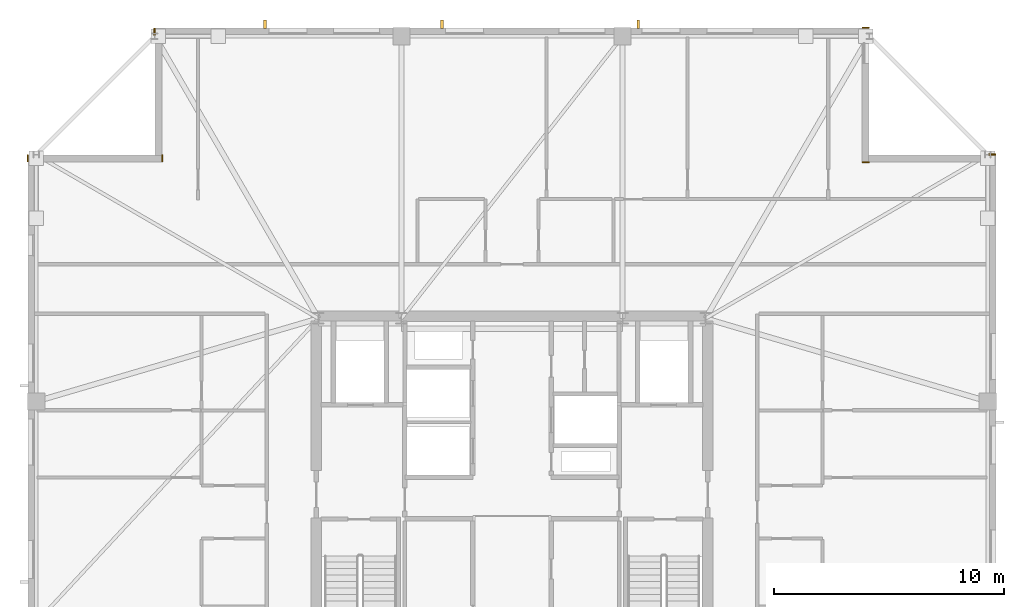
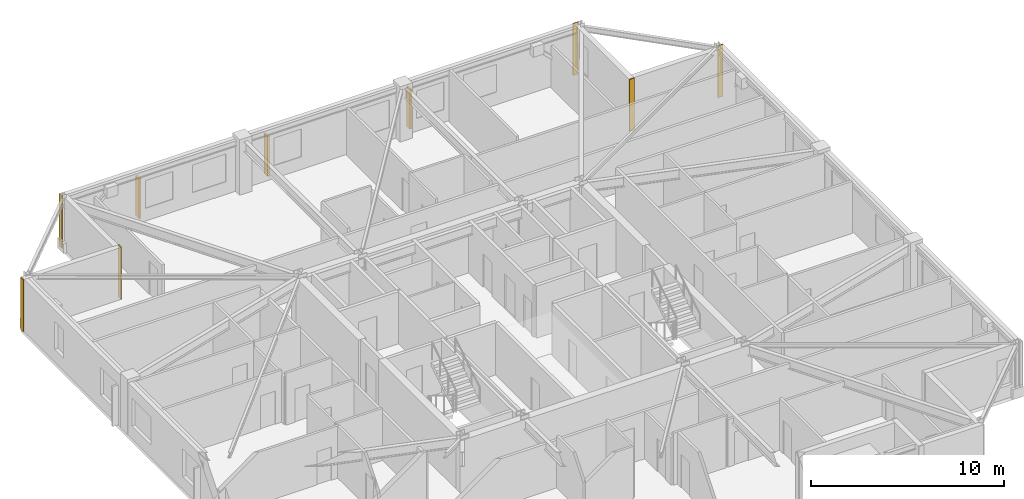
# One storey, part 15 of 15: 6 coverings, 3 shading devices.
"""IFC4 building model written with IfcOpenShell, lengths in metres."""

import ifcopenshell
import ifcopenshell.guid

model = None  # the IFC model being written
_history = None  # IfcOwnerHistory: only IFC2X3 demands one
_inside = {}  # id of a spatial element -> (the spatial element, [elements in it])
_under = {}  # id of a project, library or spatial element -> (it, [spatial elements below it])
_declared = {}  # id of a project -> (the project, [libraries it declares])
_typed = {}  # id of a type object -> (the type object, [elements of that type])
_made_of = {}  # id of a material, layer set ... -> (it, [elements and type objects made of it])


def new_model(schema):
    """Start an empty IFC model of exactly this schema.

    Asked for "IFC4X3", IfcOpenShell would pick the latest addendum, in which some entities
    have other attributes; the version numbers below select the first issue.
    IFC2X3 requires an IfcOwnerHistory on every rooted entity: one is made here for all.
    """
    global model, _history
    if schema == "IFC4X3":
        model = ifcopenshell.file(schema_version=(4, 3, 0, 0))
    else:
        model = ifcopenshell.file(schema=schema)
    _inside.clear()
    _under.clear()
    _declared.clear()
    _typed.clear()
    _made_of.clear()
    _history = None
    if model.schema == "IFC2X3":
        org = make("IfcOrganization", Name="unknown")
        user = make(
            "IfcPersonAndOrganization",
            ThePerson=make("IfcPerson", FamilyName="unknown"),
            TheOrganization=org,
        )
        app = make(
            "IfcApplication",
            ApplicationDeveloper=org,
            Version="unknown",
            ApplicationFullName="unknown",
            ApplicationIdentifier="unknown",
        )
        _history = make(
            "IfcOwnerHistory",
            OwningUser=user,
            OwningApplication=app,
            ChangeAction="ADDED",
            CreationDate=0,
        )
    return model


def make(cls, **values):
    """One entity of the class cls with the attributes given. An attribute that is None is left unset."""
    return model.create_entity(
        cls, **{name: value for name, value in values.items() if value is not None}
    )


def rooted(cls, **values):
    """An entity with a GlobalId (a new one), such as an element, a storey or a relation."""
    return make(cls, GlobalId=ifcopenshell.guid.new(), OwnerHistory=_history, **values)


def si_unit(unit_type, name, prefix=None):
    """IfcSIUnit, for example si_unit("LENGTHUNIT", "METRE", prefix="MILLI")."""
    return make("IfcSIUnit", UnitType=unit_type, Prefix=prefix, Name=name)


def assignment(units):
    """IfcUnitAssignment: the units of a project."""
    return None if units is None else make("IfcUnitAssignment", Units=units)


def point(xyz):
    """IfcCartesianPoint."""
    return None if xyz is None else make("IfcCartesianPoint", Coordinates=xyz)


def direction(xyz):
    """IfcDirection."""
    return None if xyz is None else make("IfcDirection", DirectionRatios=xyz)


def frame(location, z_axis=None, x_axis=None):
    """IfcAxis2Placement3D, a coordinate frame: its origin and axes. An axis left out is left unset."""
    return make(
        "IfcAxis2Placement3D",
        Location=point(location),
        Axis=direction(z_axis),
        RefDirection=direction(x_axis),
    )


def frame_2d(location, x_axis=None):
    """IfcAxis2Placement2D, a coordinate frame in the plane: its origin and x axis."""
    return make(
        "IfcAxis2Placement2D", Location=point(location), RefDirection=direction(x_axis)
    )


def origin():
    """The frame at (0, 0, 0) with its axes left unset."""
    return frame((0.0, 0.0, 0.0))


def origin_2d():
    """The frame at (0, 0) in the plane with its x axis left unset."""
    return frame_2d((0.0, 0.0))


def place(relative_to, where):
    """IfcLocalPlacement: puts the frame where relative to a parent placement (None: the world)."""
    return make(
        "IfcLocalPlacement", PlacementRelTo=relative_to, RelativePlacement=where
    )


def context(
    kind, dimensions, precision=None, world=None, true_north=None, identifier=None
):
    """IfcGeometricRepresentationContext, for example the 3D "Model" context."""
    return make(
        "IfcGeometricRepresentationContext",
        ContextIdentifier=identifier,
        ContextType=kind,
        CoordinateSpaceDimension=dimensions,
        Precision=precision,
        WorldCoordinateSystem=world,
        TrueNorth=true_north,
    )


def subcontext(parent, identifier, kind, view, scale=None):
    """IfcGeometricRepresentationSubContext, for example "Body" below "Model"."""
    return make(
        "IfcGeometricRepresentationSubContext",
        ContextIdentifier=identifier,
        ContextType=kind,
        ParentContext=parent,
        TargetScale=scale,
        TargetView=view,
    )


def project(units=None, contexts=None):
    """IfcProject with its units and contexts."""
    return rooted(
        "IfcProject",
        Name="project",
        RepresentationContexts=contexts,
        UnitsInContext=assignment(units),
    )


def spatial(cls, under=None, at=None, **own):
    """A site, building, storey or space (cls), placed at a placement, below another one or the project."""
    s = rooted(cls, ObjectPlacement=at, **own)
    if under is not None:
        _under.setdefault(under.id(), (under, []))[1].append(s)
    return s


def profile(cls, at=None, kind="AREA", **sizes):
    """A parametric profile (cls). Its sizes go by their IFC names, for example OverallWidth=200.0."""
    return make(cls, ProfileType=kind, Position=at, **sizes)


def rectangle(**sizes):
    """IfcRectangleProfileDef."""
    return profile("IfcRectangleProfileDef", **sizes)


def extrude(swept, where, along, depth):
    """IfcExtrudedAreaSolid: the profile swept, set in the frame where, extruded along a direction by depth."""
    return make(
        "IfcExtrudedAreaSolid",
        SweptArea=swept,
        Position=where,
        ExtrudedDirection=direction(along),
        Depth=depth,
    )


def shape(context_of_items, identifier, shape_type, items):
    """IfcShapeRepresentation: the items that make up one representation, for example the "Body"."""
    return make(
        "IfcShapeRepresentation",
        ContextOfItems=context_of_items,
        RepresentationIdentifier=identifier,
        RepresentationType=shape_type,
        Items=items,
    )


def material(Name=None, Category=None):
    """IfcMaterial."""
    return make("IfcMaterial", Name=Name, Category=Category)


def layer(
    of_material, thickness, ventilated=None, Name=None, Category=None, Priority=None
):
    """IfcMaterialLayer: one layer of a wall or slab, of a material (None: an air gap)."""
    return make(
        "IfcMaterialLayer",
        Material=of_material,
        LayerThickness=thickness,
        IsVentilated=ventilated,
        Name=Name,
        Category=Category,
        Priority=Priority,
    )


def layer_set(layers, Name=None):
    """IfcMaterialLayerSet."""
    return make("IfcMaterialLayerSet", MaterialLayers=layers, LayerSetName=Name)


def made_of(thing, what):
    """Note that an element or type object is made of a material, layer set ...; save() writes the relation."""
    if what is not None:
        _made_of.setdefault(what.id(), (what, []))[1].append(thing)
    return thing


def type_object(cls, material=None, **own):
    """A type object (cls), such as IfcWallType, which elements share."""
    return made_of(rooted(cls, **own), material)


def element(
    cls,
    number,
    at=None,
    inside=None,
    cuts=None,
    type_object=None,
    material=None,
    context=None,
    identifier="Body",
    shape_type=None,
    held_by="IfcProductDefinitionShape",
    body=None,
    shapes=None,
    **own,
):
    """One element of the class cls, such as IfcWall. Its Tag is "e" and its number.

    at: its placement. inside: the storey or other place that contains it. cuts: it is an
    opening in that element (IfcRelVoidsElement). A single representation is given by context,
    identifier, shape_type and body (its items); several are given by shapes. held_by: the class
    of the entity that holds the representations. save() writes the other relations.
    """
    e = rooted(cls, Tag="e%d" % number, ObjectPlacement=at, **own)
    if body is not None:
        shapes = [shape(context, identifier, shape_type, body)]
    if shapes is not None:
        e.Representation = make(held_by, Representations=shapes)
    if inside is not None:
        _inside.setdefault(inside.id(), (inside, []))[1].append(e)
    if cuts is not None:
        rooted(
            "IfcRelVoidsElement", RelatingBuildingElement=cuts, RelatedOpeningElement=e
        )
    if type_object is not None:
        _typed.setdefault(type_object.id(), (type_object, []))[1].append(e)
    return made_of(e, material)


def aggregate(whole, parts):
    """IfcRelAggregates: a whole, such as a stair, and the parts it consists of."""
    return rooted("IfcRelAggregates", RelatingObject=whole, RelatedObjects=parts)


def save(model, path):
    """Write the relations noted so far, then the file.

    IfcRelAggregates (storeys below a building ...), IfcRelContainedInSpatialStructure (elements
    in a storey), IfcRelDefinesByType, IfcRelAssociatesMaterial and IfcRelDeclares: one each for
    every whole, place, type object, material and project.
    """
    for whole, parts in _under.values():
        aggregate(whole, parts)
    for where, things in _inside.values():
        rooted(
            "IfcRelContainedInSpatialStructure",
            RelatedElements=things,
            RelatingStructure=where,
        )
    for kind, things in _typed.values():
        rooted("IfcRelDefinesByType", RelatedObjects=things, RelatingType=kind)
    for what, things in _made_of.values():
        rooted("IfcRelAssociatesMaterial", RelatedObjects=things, RelatingMaterial=what)
    for by, libraries in _declared.values():
        rooted("IfcRelDeclares", RelatingContext=by, RelatedDefinitions=libraries)
    model.write(path)


model = new_model("IFC4")

# Units and contexts
model_context = context("Model", 3, precision=1e-05, world=origin(), true_north=direction((0.0, 1.0)))
body_context = subcontext(model_context, "Body", "Model", "MODEL_VIEW")
ifc_project = project(units=[si_unit("LENGTHUNIT", "METRE"), si_unit("AREAUNIT", "SQUARE_METRE"), si_unit("VOLUMEUNIT", "CUBIC_METRE"), si_unit("PLANEANGLEUNIT", "RADIAN"), si_unit("MASSUNIT", "GRAM", prefix="KILO")], contexts=[model_context])

# Site, building, storey
site_placement = place(None, origin())
site = spatial("IfcSite", under=ifc_project, at=site_placement, CompositionType="ELEMENT")
building_placement = place(site_placement, origin())
building = spatial("IfcBuilding", under=site, at=building_placement, Name="Cairnveth Concourse Tower", CompositionType="ELEMENT")
storey_placement = place(building_placement, frame((0.0, 0.0, 284.0)))
storey = spatial("IfcBuildingStorey", under=building, at=storey_placement, Name="L78", CompositionType="ELEMENT", Elevation=284.0)

# Coverings
ifc_material_1 = material(Name="Dressed Melbourne Bluestone Cladding", Category="masonry")
ifc_layer = layer(ifc_material_1, 0.050048828125)
ifc_layer_set = layer_set([ifc_layer], Name="Dressed Melbourne Bluestone Cladding")
covering_type = type_object("IfcCoveringType", Name="DRESSED BLUESTONE PLINTH CLADDING 50", PredefinedType="CLADDING", material=ifc_layer_set)
for number, where, z_axis, x_axis, name in (
    (1, (30.97998046875, 54.199951171875, 0.0), (0.0, 0.0, 1.0), (0.0, 1.0, 0.0), "Melbourne Bluestone Corner Quoin L78-1183"),
    (2, (36.820068359375, 54.199951171875, 0.0), (0.0, 0.0, 1.0), (0.0, 1.0, 0.0), "Melbourne Bluestone Corner Quoin L78-1184"),
    (3, (36.47998046875, 59.699951171875, 0.0), (0.0, 0.0, 1.0), (0.0, 1.0, 0.0), "Melbourne Bluestone Corner Quoin L78-1185"),
    (4, (67.199951171875, 60.02001953125, 0.0), (0.0, 0.0, 1.0), (1.0, 0.0, 0.0), "Melbourne Bluestone Corner Quoin L78-1186"),
    (5, (67.199951171875, 54.179931640625, 0.0), (0.0, 0.0, 1.0), (1.0, 0.0, 0.0), "Melbourne Bluestone Corner Quoin L78-1187"),
    (6, (72.699951171875, 54.52001953125, 0.0), (0.0, 0.0, 1.0), (1.0, 0.0, 0.0), "Melbourne Bluestone Corner Quoin L78-1188"),
):
    element("IfcCovering", number, at=place(storey_placement, frame(where, z_axis=z_axis, x_axis=x_axis)), inside=storey, type_object=covering_type, Name=name, PredefinedType="CLADDING", context=body_context, shape_type="SweptSolid", body=[
        extrude(rectangle(XDim=0.300048828125, YDim=0.050048828125, at=frame_2d((0.14990234375, 0.0))), origin(), (0.0, 0.0, 1.0), 3.2900390625),
    ])

# Shading devices
ifc_material_2 = material(Name="Architectural Bronze Anodised Aluminium 6063-T6", Category="aluminium")
shading_device_type = type_object("IfcShadingDeviceType", Name="GOTHIC BRONZE VERTICAL LANCET FIN", PredefinedType="USERDEFINED", material=ifc_material_2)
for number, where, z_axis, x_axis, name in (
    (7, (41.283447265625, 60.175048828125, 0.030029296875), (0.0, 0.0, 1.0), (1.0, 0.0, 0.0), "Gothic Bronze Vertical Fin L78-6-1"),
    (8, (48.95751953125, 60.175048828125, 0.030029296875), (0.0, 0.0, 1.0), (1.0, 0.0, 0.0), "Gothic Bronze Vertical Fin L78-6-3"),
    (9, (57.4814453125, 60.175048828125, 0.030029296875), (0.0, 0.0, 1.0), (1.0, 0.0, 0.0), "Gothic Bronze Vertical Fin L78-6-5"),
):
    element("IfcShadingDevice", number, at=place(storey_placement, frame(where, z_axis=z_axis, x_axis=x_axis)), inside=storey, type_object=shading_device_type, Name=name, ObjectType="VERTICAL FIN", PredefinedType="USERDEFINED", context=body_context, shape_type="SweptSolid", body=[
        extrude(rectangle(XDim=0.1201171875, YDim=0.360107421875, at=origin_2d()), origin(), (0.0, 0.0, 1.0), 2.51806640625),
    ])

save(model, "model.ifc")
